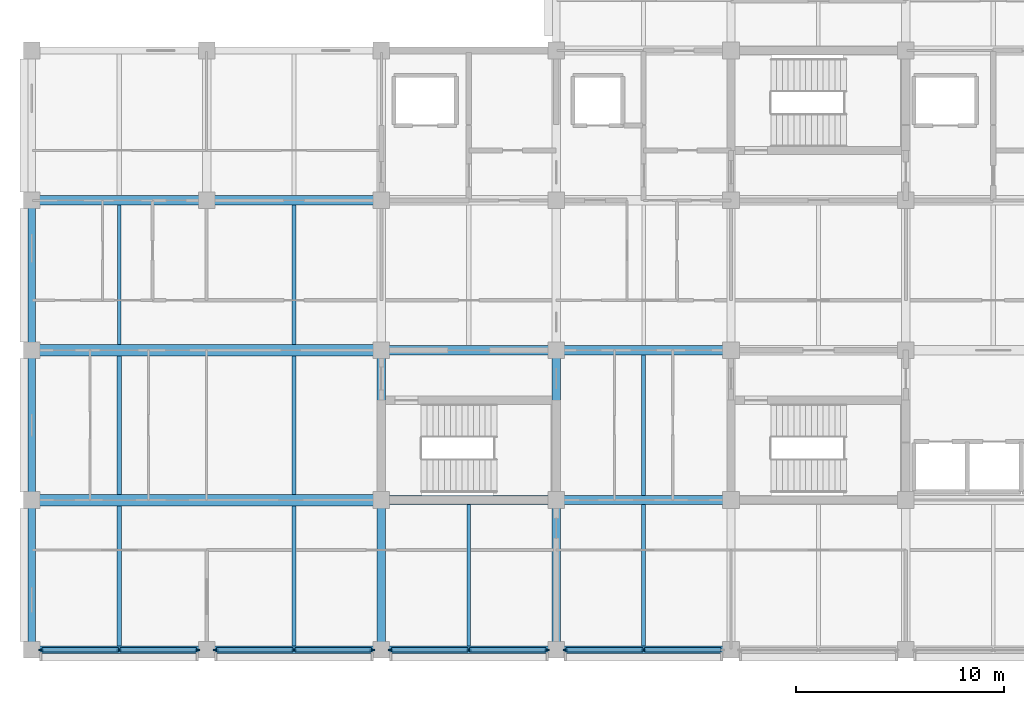
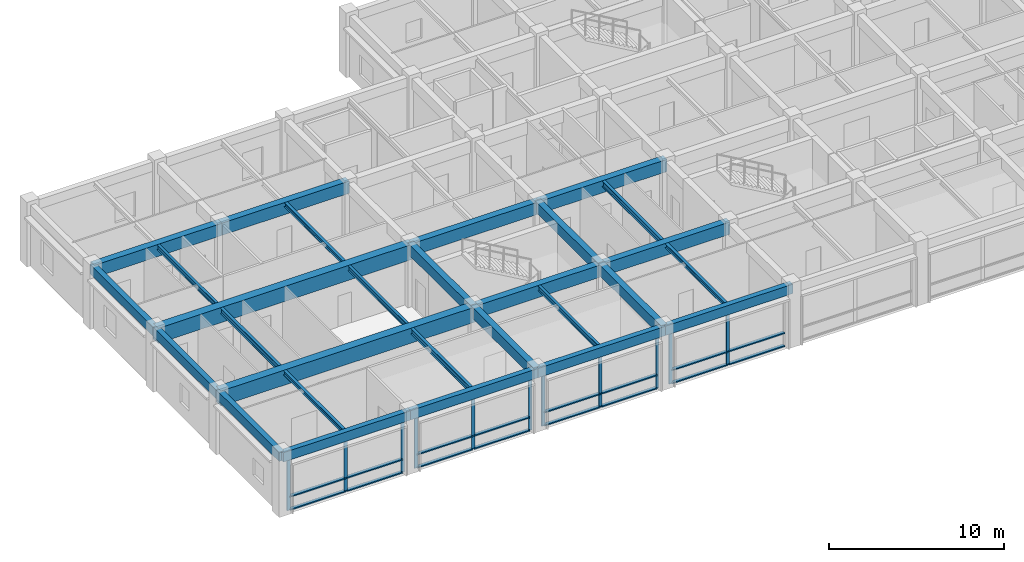
# One storey, part 2 of 30: 35 members, 28 beams, 4 elements without a shape of their own.
"""IFC4 building model written with IfcOpenShell, lengths in metres."""

from ifc_helpers import new_model, si_unit, direction, frame, origin, origin_2d, place, context, subcontext, project, spatial, rectangle, i_section, extrude, material, layer, layer_set, material_profile, profile_set, type_object, element, aggregate, save


model = new_model("IFC4")

# Units and contexts
model_context = context("Model", 3, precision=1e-05, world=origin(), true_north=direction((0.0, 1.0)))
body_context = subcontext(model_context, "Body", "Model", "MODEL_VIEW")
ifc_project = project(units=[si_unit("LENGTHUNIT", "METRE"), si_unit("AREAUNIT", "SQUARE_METRE"), si_unit("VOLUMEUNIT", "CUBIC_METRE"), si_unit("PLANEANGLEUNIT", "RADIAN"), si_unit("MASSUNIT", "GRAM", prefix="KILO")], contexts=[model_context])

# Site, building, storey
site_placement = place(None, origin())
site = spatial("IfcSite", under=ifc_project, at=site_placement, CompositionType="ELEMENT")
building_placement = place(site_placement, origin())
building = spatial("IfcBuilding", under=site, at=building_placement, Name="Chengyuan Square Courthouse", CompositionType="ELEMENT")
storey_placement = place(building_placement, frame((0.0, 0.0, 26.10009765625)))
storey = spatial("IfcBuildingStorey", under=building, at=storey_placement, Name="L06", CompositionType="ELEMENT", Elevation=26.10009765625)

# Beams
ifc_material_1 = material(Name="Concrete C40", Category="concrete")
ifc_material_profile_1 = material_profile(ifc_material_1, rectangle(XDim=0.449951171875, YDim=0.85009765625, at=origin_2d()), Name="RC-BM-450x850")
ifc_profile_set_1 = profile_set([ifc_material_profile_1], Name="Concrete C40")
beam_type_1 = type_object("IfcBeamType", Name="BM-01", PredefinedType="USERDEFINED", material=ifc_profile_set_1)
beam_1_placement = place(storey_placement, frame((42.0, 86.39990234375, 3.81494140625), z_axis=(1.0, 0.0, 0.0), x_axis=(0.0, 1.0, 0.0)))
element("IfcBeam", 1, at=beam_1_placement, inside=storey, type_object=beam_type_1, Name="Girder BM-L06-3401", ObjectType="GIRDER", PredefinedType="USERDEFINED", context=body_context, shape_type="SweptSolid", body=[
    extrude(rectangle(XDim=0.449951171875, YDim=0.85009765625, at=origin_2d()), origin(), (0.0, 0.0, 1.0), 8.39990234375),
])
beam_2_placement = place(storey_placement, frame((50.39990234375, 86.39990234375, 3.81494140625), z_axis=(1.0, 0.0, 0.0), x_axis=(0.0, 1.0, 0.0)))
element("IfcBeam", 2, at=beam_2_placement, inside=storey, type_object=beam_type_1, Name="Girder BM-L06-3402", ObjectType="GIRDER", PredefinedType="USERDEFINED", context=body_context, shape_type="SweptSolid", body=[
    extrude(rectangle(XDim=0.449951171875, YDim=0.85009765625, at=origin_2d()), origin(), (0.0, 0.0, 1.0), 8.400146484375),
])
beam_3_placement = place(storey_placement, frame((42.0, 93.60009765625, 3.81494140625), z_axis=(1.0, 0.0, 0.0), x_axis=(0.0, 1.0, 0.0)))
element("IfcBeam", 3, at=beam_3_placement, inside=storey, type_object=beam_type_1, Name="Girder BM-L06-3413", ObjectType="GIRDER", PredefinedType="USERDEFINED", context=body_context, shape_type="SweptSolid", body=[
    extrude(rectangle(XDim=0.449951171875, YDim=0.85009765625, at=origin_2d()), origin(), (0.0, 0.0, 1.0), 8.39990234375),
])
for number, where, z_axis, x_axis, name in (
    (4, (50.39990234375, 93.60009765625, 3.81494140625), (1.0, 0.0, 0.0), (0.0, 1.0, 0.0), "Girder BM-L06-3414"),
    (5, (25.199951171875, 100.800048828125, 3.81494140625), (1.0, 0.0, 0.0), (0.0, 1.0, 0.0), "Girder BM-L06-3424"),
):
    element("IfcBeam", number, at=place(storey_placement, frame(where, z_axis=z_axis, x_axis=x_axis)), inside=storey, type_object=beam_type_1, Name=name, ObjectType="GIRDER", PredefinedType="USERDEFINED", context=body_context, shape_type="SweptSolid", body=[
        extrude(rectangle(XDim=0.449951171875, YDim=0.85009765625, at=origin_2d()), origin(), (0.0, 0.0, 1.0), 8.400146484375),
    ])
beam_4_placement = place(storey_placement, frame((33.60009765625, 100.800048828125, 3.81494140625), z_axis=(1.0, 0.0, 0.0), x_axis=(0.0, 1.0, 0.0)))
element("IfcBeam", 6, at=beam_4_placement, inside=storey, type_object=beam_type_1, Name="Girder BM-L06-3425", ObjectType="GIRDER", PredefinedType="USERDEFINED", context=body_context, shape_type="SweptSolid", body=[
    extrude(rectangle(XDim=0.449951171875, YDim=0.85009765625, at=origin_2d()), origin(), (0.0, 0.0, 1.0), 8.39990234375),
])
ifc_material_profile_2 = material_profile(ifc_material_1, rectangle(XDim=0.39990234375, YDim=0.75, at=origin_2d()), Name="RC-BM-400x750")
ifc_profile_set_2 = profile_set([ifc_material_profile_2], Name="Concrete C40")
beam_type_2 = type_object("IfcBeamType", Name="BM-02", PredefinedType="USERDEFINED", material=ifc_profile_set_2)
beam_5_placement = place(storey_placement, frame((42.0, 79.199951171875, 3.864990234375), z_axis=(0.0, 1.0, 0.0), x_axis=(-1.0, 0.0, 0.0)))
element("IfcBeam", 7, at=beam_5_placement, inside=storey, type_object=beam_type_2, Name="Girder BM-L06-3465", ObjectType="GIRDER", PredefinedType="USERDEFINED", context=body_context, shape_type="SweptSolid", body=[
    extrude(rectangle(XDim=0.39990234375, YDim=0.75, at=origin_2d()), origin(), (0.0, 0.0, 1.0), 7.199951171875),
])
beam_6_placement = place(storey_placement, frame((42.0, 86.39990234375, 3.864990234375), z_axis=(0.0, 1.0, 0.0), x_axis=(-1.0, 0.0, 0.0)))
element("IfcBeam", 8, at=beam_6_placement, inside=storey, type_object=beam_type_2, Name="Girder BM-L06-3466", ObjectType="GIRDER", PredefinedType="USERDEFINED", context=body_context, shape_type="SweptSolid", body=[
    extrude(rectangle(XDim=0.39990234375, YDim=0.75, at=origin_2d()), origin(), (0.0, 0.0, 1.0), 7.2001953125),
])
beam_7_placement = place(storey_placement, frame((50.39990234375, 79.199951171875, 3.864990234375), z_axis=(0.0, 1.0, 0.0), x_axis=(-1.0, 0.0, 0.0)))
element("IfcBeam", 9, at=beam_7_placement, inside=storey, type_object=beam_type_2, Name="Girder BM-L06-3469", ObjectType="GIRDER", PredefinedType="USERDEFINED", context=body_context, shape_type="SweptSolid", body=[
    extrude(rectangle(XDim=0.39990234375, YDim=0.75, at=origin_2d()), origin(), (0.0, 0.0, 1.0), 7.199951171875),
])
beam_8_placement = place(storey_placement, frame((50.39990234375, 86.39990234375, 3.864990234375), z_axis=(0.0, 1.0, 0.0), x_axis=(-1.0, 0.0, 0.0)))
element("IfcBeam", 10, at=beam_8_placement, inside=storey, type_object=beam_type_2, Name="Girder BM-L06-3470", ObjectType="GIRDER", PredefinedType="USERDEFINED", context=body_context, shape_type="SweptSolid", body=[
    extrude(rectangle(XDim=0.39990234375, YDim=0.75, at=origin_2d()), origin(), (0.0, 0.0, 1.0), 7.2001953125),
])
ifc_material_profile_3 = material_profile(ifc_material_1, rectangle(XDim=0.35009765625, YDim=0.64990234375, at=origin_2d()), Name="RC-BM-350x650")
ifc_profile_set_3 = profile_set([ifc_material_profile_3], Name="Concrete C40")
beam_type_3 = type_object("IfcBeamType", Name="BM-03", PredefinedType="SPANDREL", material=ifc_profile_set_3)
beam_9_placement = place(storey_placement, frame((25.199951171875, 79.199951171875, 3.914794921875), z_axis=(1.0, 0.0, 0.0), x_axis=(0.0, 1.0, 0.0)))
element("IfcBeam", 11, at=beam_9_placement, inside=storey, type_object=beam_type_3, Name="Girder BM-L06-3386", PredefinedType="SPANDREL", context=body_context, shape_type="SweptSolid", body=[
    extrude(rectangle(XDim=0.35009765625, YDim=0.64990234375, at=origin_2d()), origin(), (0.0, 0.0, 1.0), 8.400146484375),
])
for number, where, z_axis, x_axis, name in (
    (12, (33.60009765625, 79.199951171875, 3.914794921875), (1.0, 0.0, 0.0), (0.0, 1.0, 0.0), "Girder BM-L06-3387"),
    (13, (42.0, 79.199951171875, 3.914794921875), (1.0, 0.0, 0.0), (0.0, 1.0, 0.0), "Girder BM-L06-3388"),
):
    element("IfcBeam", number, at=place(storey_placement, frame(where, z_axis=z_axis, x_axis=x_axis)), inside=storey, type_object=beam_type_3, Name=name, PredefinedType="SPANDREL", context=body_context, shape_type="SweptSolid", body=[
        extrude(rectangle(XDim=0.35009765625, YDim=0.64990234375, at=origin_2d()), origin(), (0.0, 0.0, 1.0), 8.39990234375),
    ])
beam_10_placement = place(storey_placement, frame((50.39990234375, 79.199951171875, 3.914794921875), z_axis=(1.0, 0.0, 0.0), x_axis=(0.0, 1.0, 0.0)))
element("IfcBeam", 14, at=beam_10_placement, inside=storey, type_object=beam_type_3, Name="Girder BM-L06-3389", PredefinedType="SPANDREL", context=body_context, shape_type="SweptSolid", body=[
    extrude(rectangle(XDim=0.35009765625, YDim=0.64990234375, at=origin_2d()), origin(), (0.0, 0.0, 1.0), 8.400146484375),
])
beam_11_placement = place(storey_placement, frame((25.199951171875, 79.199951171875, 3.914794921875), z_axis=(0.0, 1.0, 0.0), x_axis=(-1.0, 0.0, 0.0)))
element("IfcBeam", 15, at=beam_11_placement, inside=storey, type_object=beam_type_3, Name="Girder BM-L06-3460", PredefinedType="SPANDREL", context=body_context, shape_type="SweptSolid", body=[
    extrude(rectangle(XDim=0.35009765625, YDim=0.64990234375, at=origin_2d()), origin(), (0.0, 0.0, 1.0), 7.199951171875),
])
beam_12_placement = place(storey_placement, frame((25.199951171875, 86.39990234375, 3.914794921875), z_axis=(0.0, 1.0, 0.0), x_axis=(-1.0, 0.0, 0.0)))
element("IfcBeam", 16, at=beam_12_placement, inside=storey, type_object=beam_type_3, Name="Girder BM-L06-3461", PredefinedType="SPANDREL", context=body_context, shape_type="SweptSolid", body=[
    extrude(rectangle(XDim=0.35009765625, YDim=0.64990234375, at=origin_2d()), origin(), (0.0, 0.0, 1.0), 7.2001953125),
])
beam_13_placement = place(storey_placement, frame((25.199951171875, 93.60009765625, 3.914794921875), z_axis=(0.0, 1.0, 0.0), x_axis=(-1.0, 0.0, 0.0)))
element("IfcBeam", 17, at=beam_13_placement, inside=storey, type_object=beam_type_3, Name="Girder BM-L06-3462", PredefinedType="SPANDREL", context=body_context, shape_type="SweptSolid", body=[
    extrude(rectangle(XDim=0.35009765625, YDim=0.64990234375, at=origin_2d()), origin(), (0.0, 0.0, 1.0), 7.199951171875),
])
ifc_material_2 = material(Name="Steel Q355B", Category="steel")
ifc_material_profile_4 = material_profile(ifc_material_2, i_section(OverallWidth=0.199951171875, OverallDepth=0.39990234375, WebThickness=0.008056640625, FlangeThickness=0.012939453125, at=origin_2d()), Name="HN 400x200x8x13")
ifc_profile_set_4 = profile_set([ifc_material_profile_4], Name="Steel Q355B")
beam_type_4 = type_object("IfcBeamType", Name="BM-07", PredefinedType="BEAM", material=ifc_profile_set_4)
beam_14_placement = place(storey_placement, frame((29.39990234375, 86.675048828125, 4.039794921875), z_axis=(0.0, 1.0, 0.0), x_axis=(-1.0, 0.0, 0.0)))
element("IfcBeam", 18, at=beam_14_placement, inside=storey, type_object=beam_type_4, Name="Secondary Floor Beam SBM-L06-3524", PredefinedType="BEAM", context=body_context, shape_type="SweptSolid", body=[
    extrude(i_section(OverallWidth=0.199951171875, OverallDepth=0.39990234375, WebThickness=0.008056640625, FlangeThickness=0.012939453125, at=origin_2d()), origin(), (0.0, 0.0, 1.0), 6.64990234375),
])
for number, where, z_axis, x_axis, name in (
    (19, (37.800048828125, 79.375, 4.039794921875), (0.0, 1.0, 0.0), (-1.0, 0.0, 0.0), "Secondary Floor Beam SBM-L06-3527"),
    (20, (54.60009765625, 86.625, 4.039794921875), (0.0, 1.0, 0.0), (-1.0, 0.0, 0.0), "Secondary Floor Beam SBM-L06-3535"),
):
    element("IfcBeam", number, at=place(storey_placement, frame(where, z_axis=z_axis, x_axis=x_axis)), inside=storey, type_object=beam_type_4, Name=name, PredefinedType="BEAM", context=body_context, shape_type="SweptSolid", body=[
        extrude(i_section(OverallWidth=0.199951171875, OverallDepth=0.39990234375, WebThickness=0.008056640625, FlangeThickness=0.012939453125, at=origin_2d()), origin(), (0.0, 0.0, 1.0), 6.75),
    ])
ifc_material_profile_5 = material_profile(ifc_material_2, i_section(OverallWidth=0.175048828125, OverallDepth=0.35009765625, WebThickness=0.007080078125, FlangeThickness=0.010986328125, at=origin_2d()), Name="HN 350x175x7x11")
ifc_profile_set_5 = profile_set([ifc_material_profile_5], Name="Steel Q355B")
beam_type_5 = type_object("IfcBeamType", Name="BM-08", PredefinedType="BEAM", material=ifc_profile_set_5)
beam_15_placement = place(storey_placement, frame((29.39990234375, 93.875, 4.06494140625), z_axis=(0.0, 1.0, 0.0), x_axis=(-1.0, 0.0, 0.0)))
element("IfcBeam", 21, at=beam_15_placement, inside=storey, type_object=beam_type_5, Name="Secondary Floor Beam SBM-L06-3525", PredefinedType="BEAM", context=body_context, shape_type="SweptSolid", body=[
    extrude(i_section(OverallWidth=0.175048828125, OverallDepth=0.35009765625, WebThickness=0.007080078125, FlangeThickness=0.010986328125, at=origin_2d()), origin(), (0.0, 0.0, 1.0), 6.699951171875),
])
beam_16_placement = place(storey_placement, frame((37.800048828125, 86.675048828125, 4.06494140625), z_axis=(0.0, 1.0, 0.0), x_axis=(-1.0, 0.0, 0.0)))
element("IfcBeam", 22, at=beam_16_placement, inside=storey, type_object=beam_type_5, Name="Secondary Floor Beam SBM-L06-3528", PredefinedType="BEAM", context=body_context, shape_type="SweptSolid", body=[
    extrude(i_section(OverallWidth=0.175048828125, OverallDepth=0.35009765625, WebThickness=0.007080078125, FlangeThickness=0.010986328125, at=origin_2d()), origin(), (0.0, 0.0, 1.0), 6.64990234375),
])
beam_17_placement = place(storey_placement, frame((46.199951171875, 79.375, 4.06494140625), z_axis=(0.0, 1.0, 0.0), x_axis=(-1.0, 0.0, 0.0)))
element("IfcBeam", 23, at=beam_17_placement, inside=storey, type_object=beam_type_5, Name="Secondary Floor Beam SBM-L06-3531", PredefinedType="BEAM", context=body_context, shape_type="SweptSolid", body=[
    extrude(i_section(OverallWidth=0.175048828125, OverallDepth=0.35009765625, WebThickness=0.007080078125, FlangeThickness=0.010986328125, at=origin_2d()), origin(), (0.0, 0.0, 1.0), 6.800048828125),
])
ifc_material_profile_6 = material_profile(ifc_material_2, i_section(OverallWidth=0.199951171875, OverallDepth=0.300048828125, WebThickness=0.008056640625, FlangeThickness=0.011962890625, at=origin_2d()), Name="HM 300x200x8x12")
ifc_profile_set_6 = profile_set([ifc_material_profile_6], Name="Steel Q355B")
beam_type_6 = type_object("IfcBeamType", Name="BM-09", PredefinedType="BEAM", material=ifc_profile_set_6)
beam_18_placement = place(storey_placement, frame((29.39990234375, 79.375, 4.08984375), z_axis=(0.0, 1.0, 0.0), x_axis=(-1.0, 0.0, 0.0)))
element("IfcBeam", 24, at=beam_18_placement, inside=storey, type_object=beam_type_6, Name="Secondary Floor Beam SBM-L06-3523", PredefinedType="BEAM", context=body_context, shape_type="SweptSolid", body=[
    extrude(i_section(OverallWidth=0.199951171875, OverallDepth=0.300048828125, WebThickness=0.008056640625, FlangeThickness=0.011962890625, at=origin_2d()), origin(), (0.0, 0.0, 1.0), 6.75),
])
beam_19_placement = place(storey_placement, frame((37.800048828125, 93.875, 4.08984375), z_axis=(0.0, 1.0, 0.0), x_axis=(-1.0, 0.0, 0.0)))
element("IfcBeam", 25, at=beam_19_placement, inside=storey, type_object=beam_type_6, Name="Secondary Floor Beam SBM-L06-3529", PredefinedType="BEAM", context=body_context, shape_type="SweptSolid", body=[
    extrude(i_section(OverallWidth=0.199951171875, OverallDepth=0.300048828125, WebThickness=0.008056640625, FlangeThickness=0.011962890625, at=origin_2d()), origin(), (0.0, 0.0, 1.0), 6.699951171875),
])
beam_20_placement = place(storey_placement, frame((54.60009765625, 79.375, 4.08984375), z_axis=(0.0, 1.0, 0.0), x_axis=(-1.0, 0.0, 0.0)))
element("IfcBeam", 26, at=beam_20_placement, inside=storey, type_object=beam_type_6, Name="Secondary Floor Beam SBM-L06-3534", PredefinedType="BEAM", context=body_context, shape_type="SweptSolid", body=[
    extrude(i_section(OverallWidth=0.199951171875, OverallDepth=0.300048828125, WebThickness=0.008056640625, FlangeThickness=0.011962890625, at=origin_2d()), origin(), (0.0, 0.0, 1.0), 6.800048828125),
])

# Curtain wall, members
ifc_material_3 = material(Name="Unitised Aluminium and Triple Low-E Glass", Category="aluminium")
ifc_layer = layer(ifc_material_3, 0.219970703125)
ifc_layer_set = layer_set([ifc_layer], Name="Unitised Aluminium and Triple Low-E Glass")
curtain_wall_type = type_object("IfcCurtainWallType", Name="CW-16", PredefinedType="USERDEFINED", material=ifc_layer_set)
curtain_wall_1_placement = place(storey_placement, origin())
curtain_wall_1 = element("IfcCurtainWall", 27, at=curtain_wall_1_placement, inside=storey, type_object=curtain_wall_type, Name="Unitised Curtain Wall CW-L06-183", ObjectType="UNITISED CURTAIN WALL", PredefinedType="USERDEFINED")
ifc_material_4 = material(Name="Aluminium 6063-T6 Frame", Category="aluminium")
ifc_material_profile_7 = material_profile(ifc_material_4, rectangle(XDim=0.080078125, YDim=0.219970703125, at=origin_2d()), Name="CW-MUL-80x220")
ifc_profile_set_7 = profile_set([ifc_material_profile_7], Name="Aluminium 6063-T6 Frame")
member_type_1 = type_object("IfcMemberType", Name="CWM-04", PredefinedType="MULLION", material=ifc_profile_set_7)
member_1_placement = place(storey_placement, frame((25.639892578125, 79.199951171875, 0.0), z_axis=(0.0, 0.0, 1.0), x_axis=(0.0, 1.0, 0.0)))
member_1 = element("IfcMember", 28, at=member_1_placement, type_object=member_type_1, Name="CW-16 mullion 1", PredefinedType="MULLION", context=body_context, shape_type="SweptSolid", body=[
    extrude(rectangle(XDim=0.080078125, YDim=0.219970703125, at=origin_2d()), origin(), (0.0, 0.0, 1.0), 3.58984375),
])
member_2_placement = place(storey_placement, frame((29.39990234375, 79.199951171875, 0.0), z_axis=(0.0, 0.0, 1.0), x_axis=(0.0, 1.0, 0.0)))
member_2 = element("IfcMember", 29, at=member_2_placement, type_object=member_type_1, Name="CW-16 mullion 2", PredefinedType="MULLION", context=body_context, shape_type="SweptSolid", body=[
    extrude(rectangle(XDim=0.080078125, YDim=0.219970703125, at=origin_2d()), origin(), (0.0, 0.0, 1.0), 3.58984375),
])
member_3_placement = place(storey_placement, frame((33.159912109375, 79.199951171875, 0.0), z_axis=(0.0, 0.0, 1.0), x_axis=(0.0, 1.0, 0.0)))
member_3 = element("IfcMember", 30, at=member_3_placement, type_object=member_type_1, Name="CW-16 mullion 3", PredefinedType="MULLION", context=body_context, shape_type="SweptSolid", body=[
    extrude(rectangle(XDim=0.080078125, YDim=0.219970703125, at=origin_2d()), origin(), (0.0, 0.0, 1.0), 3.58984375),
])

curtain_wall_2_placement = place(storey_placement, origin())
curtain_wall_2 = element("IfcCurtainWall", 31, at=curtain_wall_2_placement, inside=storey, type_object=curtain_wall_type, Name="Unitised Curtain Wall CW-L06-184", ObjectType="UNITISED CURTAIN WALL", PredefinedType="USERDEFINED")
member_4_placement = place(storey_placement, frame((34.0400390625, 79.199951171875, 0.0), z_axis=(0.0, 0.0, 1.0), x_axis=(0.0, 1.0, 0.0)))
member_4 = element("IfcMember", 32, at=member_4_placement, type_object=member_type_1, Name="CW-16 mullion 1", PredefinedType="MULLION", context=body_context, shape_type="SweptSolid", body=[
    extrude(rectangle(XDim=0.080078125, YDim=0.219970703125, at=origin_2d()), origin(), (0.0, 0.0, 1.0), 3.58984375),
])
member_5_placement = place(storey_placement, frame((37.800048828125, 79.199951171875, 0.0), z_axis=(0.0, 0.0, 1.0), x_axis=(0.0, 1.0, 0.0)))
member_5 = element("IfcMember", 33, at=member_5_placement, type_object=member_type_1, Name="CW-16 mullion 2", PredefinedType="MULLION", context=body_context, shape_type="SweptSolid", body=[
    extrude(rectangle(XDim=0.080078125, YDim=0.219970703125, at=origin_2d()), origin(), (0.0, 0.0, 1.0), 3.58984375),
])
member_6_placement = place(storey_placement, frame((41.56005859375, 79.199951171875, 0.0), z_axis=(0.0, 0.0, 1.0), x_axis=(0.0, 1.0, 0.0)))
member_6 = element("IfcMember", 34, at=member_6_placement, type_object=member_type_1, Name="CW-16 mullion 3", PredefinedType="MULLION", context=body_context, shape_type="SweptSolid", body=[
    extrude(rectangle(XDim=0.080078125, YDim=0.219970703125, at=origin_2d()), origin(), (0.0, 0.0, 1.0), 3.58984375),
])

curtain_wall_3_placement = place(storey_placement, origin())
curtain_wall_3 = element("IfcCurtainWall", 35, at=curtain_wall_3_placement, inside=storey, type_object=curtain_wall_type, Name="Unitised Curtain Wall CW-L06-185", ObjectType="UNITISED CURTAIN WALL", PredefinedType="USERDEFINED")
member_7_placement = place(storey_placement, frame((42.43994140625, 79.199951171875, 0.0), z_axis=(0.0, 0.0, 1.0), x_axis=(0.0, 1.0, 0.0)))
member_7 = element("IfcMember", 36, at=member_7_placement, type_object=member_type_1, Name="CW-16 mullion 1", PredefinedType="MULLION", context=body_context, shape_type="SweptSolid", body=[
    extrude(rectangle(XDim=0.080078125, YDim=0.219970703125, at=origin_2d()), origin(), (0.0, 0.0, 1.0), 3.58984375),
])
member_8_placement = place(storey_placement, frame((46.199951171875, 79.199951171875, 0.0), z_axis=(0.0, 0.0, 1.0), x_axis=(0.0, 1.0, 0.0)))
member_8 = element("IfcMember", 37, at=member_8_placement, type_object=member_type_1, Name="CW-16 mullion 2", PredefinedType="MULLION", context=body_context, shape_type="SweptSolid", body=[
    extrude(rectangle(XDim=0.080078125, YDim=0.219970703125, at=origin_2d()), origin(), (0.0, 0.0, 1.0), 3.58984375),
])
member_9_placement = place(storey_placement, frame((49.9599609375, 79.199951171875, 0.0), z_axis=(0.0, 0.0, 1.0), x_axis=(0.0, 1.0, 0.0)))
member_9 = element("IfcMember", 38, at=member_9_placement, type_object=member_type_1, Name="CW-16 mullion 3", PredefinedType="MULLION", context=body_context, shape_type="SweptSolid", body=[
    extrude(rectangle(XDim=0.080078125, YDim=0.219970703125, at=origin_2d()), origin(), (0.0, 0.0, 1.0), 3.58984375),
])

curtain_wall_4_placement = place(storey_placement, origin())
curtain_wall_4 = element("IfcCurtainWall", 39, at=curtain_wall_4_placement, inside=storey, type_object=curtain_wall_type, Name="Unitised Curtain Wall CW-L06-186", ObjectType="UNITISED CURTAIN WALL", PredefinedType="USERDEFINED")
member_10_placement = place(storey_placement, frame((50.840087890625, 79.199951171875, 0.0), z_axis=(0.0, 0.0, 1.0), x_axis=(0.0, 1.0, 0.0)))
member_10 = element("IfcMember", 40, at=member_10_placement, type_object=member_type_1, Name="CW-16 mullion 1", PredefinedType="MULLION", context=body_context, shape_type="SweptSolid", body=[
    extrude(rectangle(XDim=0.080078125, YDim=0.219970703125, at=origin_2d()), origin(), (0.0, 0.0, 1.0), 3.58984375),
])
member_11_placement = place(storey_placement, frame((54.60009765625, 79.199951171875, 0.0), z_axis=(0.0, 0.0, 1.0), x_axis=(0.0, 1.0, 0.0)))
member_11 = element("IfcMember", 41, at=member_11_placement, type_object=member_type_1, Name="CW-16 mullion 2", PredefinedType="MULLION", context=body_context, shape_type="SweptSolid", body=[
    extrude(rectangle(XDim=0.080078125, YDim=0.219970703125, at=origin_2d()), origin(), (0.0, 0.0, 1.0), 3.58984375),
])

# Member
ifc_material_profile_8 = material_profile(ifc_material_4, rectangle(XDim=0.219970703125, YDim=0.080078125, at=origin_2d()), Name="CW-TRN-80x180")
ifc_profile_set_8 = profile_set([ifc_material_profile_8], Name="Aluminium 6063-T6 Frame")
member_type_2 = type_object("IfcMemberType", Name="CWT-04", PredefinedType="USERDEFINED", material=ifc_profile_set_8)
member_12_placement = place(storey_placement, frame((25.679931640625, 79.199951171875, 0.039794921875), z_axis=(1.0, 0.0, 0.0), x_axis=(0.0, 1.0, 0.0)))
member_12 = element("IfcMember", 42, at=member_12_placement, type_object=member_type_2, Name="CW-16 transom 1.1", ObjectType="TRANSOM", PredefinedType="USERDEFINED", context=body_context, shape_type="SweptSolid", body=[
    extrude(rectangle(XDim=0.219970703125, YDim=0.080078125, at=origin_2d()), origin(), (0.0, 0.0, 1.0), 3.68017578125),
])

member_13_placement = place(storey_placement, frame((25.679931640625, 79.199951171875, 0.949951171875), z_axis=(1.0, 0.0, 0.0), x_axis=(0.0, 1.0, 0.0)))
member_13 = element("IfcMember", 43, at=member_13_placement, type_object=member_type_2, Name="CW-16 transom 1.2", ObjectType="TRANSOM", PredefinedType="USERDEFINED", context=body_context, shape_type="SweptSolid", body=[
    extrude(rectangle(XDim=0.219970703125, YDim=0.080078125, at=origin_2d()), origin(), (0.0, 0.0, 1.0), 3.68017578125),
])

member_14_placement = place(storey_placement, frame((25.679931640625, 79.199951171875, 3.5498046875), z_axis=(1.0, 0.0, 0.0), x_axis=(0.0, 1.0, 0.0)))
member_14 = element("IfcMember", 44, at=member_14_placement, type_object=member_type_2, Name="CW-16 transom 1.3", ObjectType="TRANSOM", PredefinedType="USERDEFINED", context=body_context, shape_type="SweptSolid", body=[
    extrude(rectangle(XDim=0.219970703125, YDim=0.080078125, at=origin_2d()), origin(), (0.0, 0.0, 1.0), 3.68017578125),
])

member_15_placement = place(storey_placement, frame((29.43994140625, 79.199951171875, 0.039794921875), z_axis=(1.0, 0.0, 0.0), x_axis=(0.0, 1.0, 0.0)))
member_15 = element("IfcMember", 45, at=member_15_placement, type_object=member_type_2, Name="CW-16 transom 2.1", ObjectType="TRANSOM", PredefinedType="USERDEFINED", context=body_context, shape_type="SweptSolid", body=[
    extrude(rectangle(XDim=0.219970703125, YDim=0.080078125, at=origin_2d()), origin(), (0.0, 0.0, 1.0), 3.68017578125),
])

member_16_placement = place(storey_placement, frame((29.43994140625, 79.199951171875, 0.949951171875), z_axis=(1.0, 0.0, 0.0), x_axis=(0.0, 1.0, 0.0)))
member_16 = element("IfcMember", 46, at=member_16_placement, type_object=member_type_2, Name="CW-16 transom 2.2", ObjectType="TRANSOM", PredefinedType="USERDEFINED", context=body_context, shape_type="SweptSolid", body=[
    extrude(rectangle(XDim=0.219970703125, YDim=0.080078125, at=origin_2d()), origin(), (0.0, 0.0, 1.0), 3.68017578125),
])

member_17_placement = place(storey_placement, frame((29.43994140625, 79.199951171875, 3.5498046875), z_axis=(1.0, 0.0, 0.0), x_axis=(0.0, 1.0, 0.0)))
member_17 = element("IfcMember", 47, at=member_17_placement, type_object=member_type_2, Name="CW-16 transom 2.3", ObjectType="TRANSOM", PredefinedType="USERDEFINED", context=body_context, shape_type="SweptSolid", body=[
    extrude(rectangle(XDim=0.219970703125, YDim=0.080078125, at=origin_2d()), origin(), (0.0, 0.0, 1.0), 3.68017578125),
])

aggregate(curtain_wall_1, [member_1, member_2, member_3, member_12, member_13, member_14, member_15, member_16, member_17])

member_18_placement = place(storey_placement, frame((34.080078125, 79.199951171875, 0.039794921875), z_axis=(1.0, 0.0, 0.0), x_axis=(0.0, 1.0, 0.0)))
member_18 = element("IfcMember", 48, at=member_18_placement, type_object=member_type_2, Name="CW-16 transom 1.1", ObjectType="TRANSOM", PredefinedType="USERDEFINED", context=body_context, shape_type="SweptSolid", body=[
    extrude(rectangle(XDim=0.219970703125, YDim=0.080078125, at=origin_2d()), origin(), (0.0, 0.0, 1.0), 3.679931640625),
])

member_19_placement = place(storey_placement, frame((34.080078125, 79.199951171875, 0.949951171875), z_axis=(1.0, 0.0, 0.0), x_axis=(0.0, 1.0, 0.0)))
member_19 = element("IfcMember", 49, at=member_19_placement, type_object=member_type_2, Name="CW-16 transom 1.2", ObjectType="TRANSOM", PredefinedType="USERDEFINED", context=body_context, shape_type="SweptSolid", body=[
    extrude(rectangle(XDim=0.219970703125, YDim=0.080078125, at=origin_2d()), origin(), (0.0, 0.0, 1.0), 3.679931640625),
])

member_20_placement = place(storey_placement, frame((34.080078125, 79.199951171875, 3.5498046875), z_axis=(1.0, 0.0, 0.0), x_axis=(0.0, 1.0, 0.0)))
member_20 = element("IfcMember", 50, at=member_20_placement, type_object=member_type_2, Name="CW-16 transom 1.3", ObjectType="TRANSOM", PredefinedType="USERDEFINED", context=body_context, shape_type="SweptSolid", body=[
    extrude(rectangle(XDim=0.219970703125, YDim=0.080078125, at=origin_2d()), origin(), (0.0, 0.0, 1.0), 3.679931640625),
])

member_21_placement = place(storey_placement, frame((37.840087890625, 79.199951171875, 0.039794921875), z_axis=(1.0, 0.0, 0.0), x_axis=(0.0, 1.0, 0.0)))
member_21 = element("IfcMember", 51, at=member_21_placement, type_object=member_type_2, Name="CW-16 transom 2.1", ObjectType="TRANSOM", PredefinedType="USERDEFINED", context=body_context, shape_type="SweptSolid", body=[
    extrude(rectangle(XDim=0.219970703125, YDim=0.080078125, at=origin_2d()), origin(), (0.0, 0.0, 1.0), 3.679931640625),
])

member_22_placement = place(storey_placement, frame((37.840087890625, 79.199951171875, 0.949951171875), z_axis=(1.0, 0.0, 0.0), x_axis=(0.0, 1.0, 0.0)))
member_22 = element("IfcMember", 52, at=member_22_placement, type_object=member_type_2, Name="CW-16 transom 2.2", ObjectType="TRANSOM", PredefinedType="USERDEFINED", context=body_context, shape_type="SweptSolid", body=[
    extrude(rectangle(XDim=0.219970703125, YDim=0.080078125, at=origin_2d()), origin(), (0.0, 0.0, 1.0), 3.679931640625),
])

member_23_placement = place(storey_placement, frame((37.840087890625, 79.199951171875, 3.5498046875), z_axis=(1.0, 0.0, 0.0), x_axis=(0.0, 1.0, 0.0)))
member_23 = element("IfcMember", 53, at=member_23_placement, type_object=member_type_2, Name="CW-16 transom 2.3", ObjectType="TRANSOM", PredefinedType="USERDEFINED", context=body_context, shape_type="SweptSolid", body=[
    extrude(rectangle(XDim=0.219970703125, YDim=0.080078125, at=origin_2d()), origin(), (0.0, 0.0, 1.0), 3.679931640625),
])

aggregate(curtain_wall_2, [member_4, member_5, member_6, member_18, member_19, member_20, member_21, member_22, member_23])

member_24_placement = place(storey_placement, frame((42.47998046875, 79.199951171875, 0.039794921875), z_axis=(1.0, 0.0, 0.0), x_axis=(0.0, 1.0, 0.0)))
member_24 = element("IfcMember", 54, at=member_24_placement, type_object=member_type_2, Name="CW-16 transom 1.1", ObjectType="TRANSOM", PredefinedType="USERDEFINED", context=body_context, shape_type="SweptSolid", body=[
    extrude(rectangle(XDim=0.219970703125, YDim=0.080078125, at=origin_2d()), origin(), (0.0, 0.0, 1.0), 3.679931640625),
])

member_25_placement = place(storey_placement, frame((42.47998046875, 79.199951171875, 0.949951171875), z_axis=(1.0, 0.0, 0.0), x_axis=(0.0, 1.0, 0.0)))
member_25 = element("IfcMember", 55, at=member_25_placement, type_object=member_type_2, Name="CW-16 transom 1.2", ObjectType="TRANSOM", PredefinedType="USERDEFINED", context=body_context, shape_type="SweptSolid", body=[
    extrude(rectangle(XDim=0.219970703125, YDim=0.080078125, at=origin_2d()), origin(), (0.0, 0.0, 1.0), 3.679931640625),
])

member_26_placement = place(storey_placement, frame((42.47998046875, 79.199951171875, 3.5498046875), z_axis=(1.0, 0.0, 0.0), x_axis=(0.0, 1.0, 0.0)))
member_26 = element("IfcMember", 56, at=member_26_placement, type_object=member_type_2, Name="CW-16 transom 1.3", ObjectType="TRANSOM", PredefinedType="USERDEFINED", context=body_context, shape_type="SweptSolid", body=[
    extrude(rectangle(XDim=0.219970703125, YDim=0.080078125, at=origin_2d()), origin(), (0.0, 0.0, 1.0), 3.679931640625),
])

member_27_placement = place(storey_placement, frame((46.239990234375, 79.199951171875, 0.039794921875), z_axis=(1.0, 0.0, 0.0), x_axis=(0.0, 1.0, 0.0)))
member_27 = element("IfcMember", 57, at=member_27_placement, type_object=member_type_2, Name="CW-16 transom 2.1", ObjectType="TRANSOM", PredefinedType="USERDEFINED", context=body_context, shape_type="SweptSolid", body=[
    extrude(rectangle(XDim=0.219970703125, YDim=0.080078125, at=origin_2d()), origin(), (0.0, 0.0, 1.0), 3.679931640625),
])

member_28_placement = place(storey_placement, frame((46.239990234375, 79.199951171875, 0.949951171875), z_axis=(1.0, 0.0, 0.0), x_axis=(0.0, 1.0, 0.0)))
member_28 = element("IfcMember", 58, at=member_28_placement, type_object=member_type_2, Name="CW-16 transom 2.2", ObjectType="TRANSOM", PredefinedType="USERDEFINED", context=body_context, shape_type="SweptSolid", body=[
    extrude(rectangle(XDim=0.219970703125, YDim=0.080078125, at=origin_2d()), origin(), (0.0, 0.0, 1.0), 3.679931640625),
])

member_29_placement = place(storey_placement, frame((46.239990234375, 79.199951171875, 3.5498046875), z_axis=(1.0, 0.0, 0.0), x_axis=(0.0, 1.0, 0.0)))
member_29 = element("IfcMember", 59, at=member_29_placement, type_object=member_type_2, Name="CW-16 transom 2.3", ObjectType="TRANSOM", PredefinedType="USERDEFINED", context=body_context, shape_type="SweptSolid", body=[
    extrude(rectangle(XDim=0.219970703125, YDim=0.080078125, at=origin_2d()), origin(), (0.0, 0.0, 1.0), 3.679931640625),
])

aggregate(curtain_wall_3, [member_7, member_8, member_9, member_24, member_25, member_26, member_27, member_28, member_29])

member_30_placement = place(storey_placement, frame((50.8798828125, 79.199951171875, 0.039794921875), z_axis=(1.0, 0.0, 0.0), x_axis=(0.0, 1.0, 0.0)))
member_30 = element("IfcMember", 60, at=member_30_placement, type_object=member_type_2, Name="CW-16 transom 1.1", ObjectType="TRANSOM", PredefinedType="USERDEFINED", context=body_context, shape_type="SweptSolid", body=[
    extrude(rectangle(XDim=0.219970703125, YDim=0.080078125, at=origin_2d()), origin(), (0.0, 0.0, 1.0), 3.68017578125),
])

member_31_placement = place(storey_placement, frame((50.8798828125, 79.199951171875, 0.949951171875), z_axis=(1.0, 0.0, 0.0), x_axis=(0.0, 1.0, 0.0)))
member_31 = element("IfcMember", 61, at=member_31_placement, type_object=member_type_2, Name="CW-16 transom 1.2", ObjectType="TRANSOM", PredefinedType="USERDEFINED", context=body_context, shape_type="SweptSolid", body=[
    extrude(rectangle(XDim=0.219970703125, YDim=0.080078125, at=origin_2d()), origin(), (0.0, 0.0, 1.0), 3.68017578125),
])

member_32_placement = place(storey_placement, frame((50.8798828125, 79.199951171875, 3.5498046875), z_axis=(1.0, 0.0, 0.0), x_axis=(0.0, 1.0, 0.0)))
member_32 = element("IfcMember", 62, at=member_32_placement, type_object=member_type_2, Name="CW-16 transom 1.3", ObjectType="TRANSOM", PredefinedType="USERDEFINED", context=body_context, shape_type="SweptSolid", body=[
    extrude(rectangle(XDim=0.219970703125, YDim=0.080078125, at=origin_2d()), origin(), (0.0, 0.0, 1.0), 3.68017578125),
])

member_33_placement = place(storey_placement, frame((54.639892578125, 79.199951171875, 0.039794921875), z_axis=(1.0, 0.0, 0.0), x_axis=(0.0, 1.0, 0.0)))
member_33 = element("IfcMember", 63, at=member_33_placement, type_object=member_type_2, Name="CW-16 transom 2.1", ObjectType="TRANSOM", PredefinedType="USERDEFINED", context=body_context, shape_type="SweptSolid", body=[
    extrude(rectangle(XDim=0.219970703125, YDim=0.080078125, at=origin_2d()), origin(), (0.0, 0.0, 1.0), 3.68017578125),
])

member_34_placement = place(storey_placement, frame((54.639892578125, 79.199951171875, 0.949951171875), z_axis=(1.0, 0.0, 0.0), x_axis=(0.0, 1.0, 0.0)))
member_34 = element("IfcMember", 64, at=member_34_placement, type_object=member_type_2, Name="CW-16 transom 2.2", ObjectType="TRANSOM", PredefinedType="USERDEFINED", context=body_context, shape_type="SweptSolid", body=[
    extrude(rectangle(XDim=0.219970703125, YDim=0.080078125, at=origin_2d()), origin(), (0.0, 0.0, 1.0), 3.68017578125),
])

member_35_placement = place(storey_placement, frame((54.639892578125, 79.199951171875, 3.5498046875), z_axis=(1.0, 0.0, 0.0), x_axis=(0.0, 1.0, 0.0)))
member_35 = element("IfcMember", 65, at=member_35_placement, type_object=member_type_2, Name="CW-16 transom 2.3", ObjectType="TRANSOM", PredefinedType="USERDEFINED", context=body_context, shape_type="SweptSolid", body=[
    extrude(rectangle(XDim=0.219970703125, YDim=0.080078125, at=origin_2d()), origin(), (0.0, 0.0, 1.0), 3.68017578125),
])

aggregate(curtain_wall_4, [member_10, member_11, member_30, member_31, member_32, member_33, member_34, member_35])

# Beams
ifc_material_5 = material(Name="Post-tensioned Concrete C50", Category="concrete")
ifc_material_profile_9 = material_profile(ifc_material_5, rectangle(XDim=0.550048828125, YDim=1.050048828125, at=origin_2d()), Name="PT-BM-550x1050")
ifc_profile_set_9 = profile_set([ifc_material_profile_9], Name="Post-tensioned Concrete C50")
beam_type_7 = type_object("IfcBeamType", Name="PT-01", PredefinedType="USERDEFINED", material=ifc_profile_set_9)
for number, where, z_axis, x_axis, name in (
    (66, (25.199951171875, 86.39990234375, 3.71484375), (1.0, 0.0, 0.0), (0.0, 1.0, 0.0), "Girder BM-L06-3400"),
    (67, (25.199951171875, 93.60009765625, 3.71484375), (1.0, 0.0, 0.0), (0.0, 1.0, 0.0), "Girder BM-L06-3412"),
):
    element("IfcBeam", number, at=place(storey_placement, frame(where, z_axis=z_axis, x_axis=x_axis)), inside=storey, type_object=beam_type_7, Name=name, ObjectType="GIRDER", PredefinedType="USERDEFINED", context=body_context, shape_type="SweptSolid", body=[
        extrude(rectangle(XDim=0.550048828125, YDim=1.050048828125, at=origin_2d()), origin(), (0.0, 0.0, 1.0), 16.800048828125),
    ])

save(model, "model.ifc")
